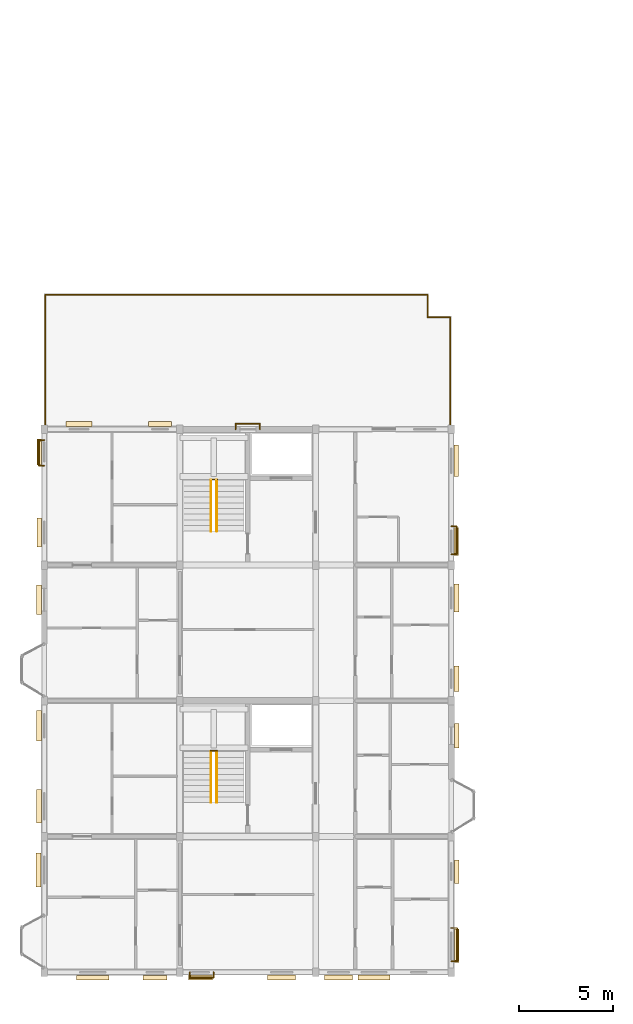
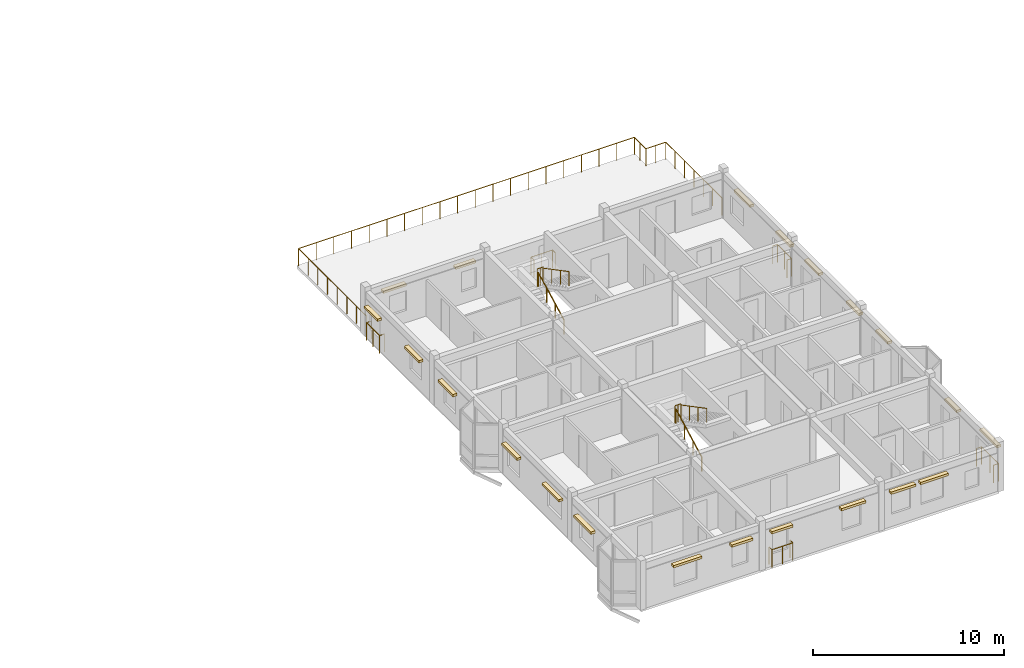
# One storey, part 21 of 22: 21 coverings, 12 railings.
"""IFC4 building model written with IfcOpenShell, lengths in metres."""

from ifc_helpers import new_model, si_unit, direction, frame, origin, origin_2d, place, context, subcontext, project, spatial, rectangle, circle, extrude, material, layer, layer_set, type_object, element, save


model = new_model("IFC4")

# Units and contexts
model_context = context("Model", 3, precision=1e-05, world=origin(), true_north=direction((0.0, 1.0)))
body_context = subcontext(model_context, "Body", "Model", "MODEL_VIEW")
ifc_project = project(units=[si_unit("LENGTHUNIT", "METRE"), si_unit("AREAUNIT", "SQUARE_METRE"), si_unit("VOLUMEUNIT", "CUBIC_METRE"), si_unit("PLANEANGLEUNIT", "RADIAN"), si_unit("MASSUNIT", "GRAM", prefix="KILO"), si_unit("THERMODYNAMICTEMPERATUREUNIT", "KELVIN"), si_unit("POWERUNIT", "WATT")], contexts=[model_context])

# Site, building, storey
site_placement = place(None, origin())
site = spatial("IfcSite", under=ifc_project, at=site_placement, CompositionType="ELEMENT")
building_placement = place(site_placement, origin())
building = spatial("IfcBuilding", under=site, at=building_placement, Name="Tavuni Mirador Residences", CompositionType="ELEMENT")
storey_placement = place(building_placement, frame((0.0, 0.0, 45.449951171875)))
storey = spatial("IfcBuildingStorey", under=building, at=storey_placement, Name="L14", CompositionType="ELEMENT", Elevation=45.449951171875)

# Coverings
ifc_material_1 = material(Name="Natural coral limestone", Category="masonry")
ifc_layer = layer(ifc_material_1, 0.054931640625, Name="Natural coral limestone", Category="masonry")
ifc_layer_set = layer_set([ifc_layer], Name="Natural coral limestone")
covering_type = type_object("IfcCoveringType", Name="CVT-CLAD-CORAL", PredefinedType="CLADDING", material=ifc_layer_set)
covering_1_placement = place(storey_placement, frame((6.1875, 6.9130859375, 2.1650390625), z_axis=(0.0, 0.0, 1.0), x_axis=(1.0, 0.0, 0.0)))
element("IfcCovering", 1, at=covering_1_placement, inside=storey, type_object=covering_type, Name="HOOD-0279", PredefinedType="CLADDING", context=body_context, shape_type="SweptSolid", body=[
    extrude(rectangle(XDim=1.719970703125, YDim=0.25, at=origin_2d()), origin(), (0.0, 0.0, 1.0), 0.14990234375),
])
for number, where, z_axis, x_axis, name in (
    (2, (9.472412109375, 6.9130859375, 2.2451171875), (0.0, 0.0, 1.0), (1.0, 0.0, 0.0), "HOOD-0280"),
    (3, (11.89501953125, 6.92041015625, 2.2451171875), (0.0, 0.0, 1.0), (1.0, 0.0, 0.0), "HOOD-0281"),
):
    element("IfcCovering", number, at=place(storey_placement, frame(where, z_axis=z_axis, x_axis=x_axis)), inside=storey, type_object=covering_type, Name=name, PredefinedType="CLADDING", context=body_context, shape_type="SweptSolid", body=[
        extrude(rectangle(XDim=1.280029296875, YDim=0.25, at=origin_2d()), origin(), (0.0, 0.0, 1.0), 0.14990234375),
    ])
for number, where, z_axis, x_axis, name in (
    (4, (16.199951171875, 6.92041015625, 2.2451171875), (0.0, 0.0, 1.0), (1.0, 0.0, 0.0), "HOOD-0282"),
    (5, (19.20751953125, 6.925537109375, 2.2451171875), (0.0, 0.0, 1.0), (1.0, 0.0, 0.0), "HOOD-0283"),
):
    element("IfcCovering", number, at=place(storey_placement, frame(where, z_axis=z_axis, x_axis=x_axis)), inside=storey, type_object=covering_type, Name=name, PredefinedType="CLADDING", context=body_context, shape_type="SweptSolid", body=[
        extrude(rectangle(XDim=1.489990234375, YDim=0.25, at=origin_2d()), origin(), (0.0, 0.0, 1.0), 0.14990234375),
    ])
covering_2_placement = place(storey_placement, frame((21.090087890625, 6.925537109375, 2.2451171875), z_axis=(0.0, 0.0, 1.0), x_axis=(1.0, 0.0, 0.0)))
element("IfcCovering", 6, at=covering_2_placement, inside=storey, type_object=covering_type, Name="HOOD-0284", PredefinedType="CLADDING", context=body_context, shape_type="SweptSolid", body=[
    extrude(rectangle(XDim=1.68994140625, YDim=0.25, at=origin_2d()), origin(), (0.0, 0.0, 1.0), 0.14990234375),
])
covering_3_placement = place(storey_placement, frame((25.487060546875, 8.60009765625, 2.2451171875), z_axis=(0.0, 0.0, 1.0), x_axis=(0.0, 1.0, 0.0)))
element("IfcCovering", 7, at=covering_3_placement, inside=storey, type_object=covering_type, Name="HOOD-0285", PredefinedType="CLADDING", context=body_context, shape_type="SweptSolid", body=[
    extrude(rectangle(XDim=1.7900390625, YDim=0.25, at=origin_2d()), origin(), (0.0, 0.0, 1.0), 0.14990234375),
])
covering_4_placement = place(storey_placement, frame((25.487060546875, 12.534912109375, 1.955078125), z_axis=(0.0, 0.0, 1.0), x_axis=(0.0, 1.0, 0.0)))
element("IfcCovering", 8, at=covering_4_placement, inside=storey, type_object=covering_type, Name="HOOD-0286", PredefinedType="CLADDING", context=body_context, shape_type="SweptSolid", body=[
    extrude(rectangle(XDim=1.260009765625, YDim=0.25, at=origin_2d()), origin(), (0.0, 0.0, 1.0), 0.14990234375),
])
covering_5_placement = place(storey_placement, frame((25.484619140625, 19.742431640625, 1.9501953125), z_axis=(0.0, 0.0, 1.0), x_axis=(0.0, 1.0, 0.0)))
element("IfcCovering", 9, at=covering_5_placement, inside=storey, type_object=covering_type, Name="HOOD-0287", PredefinedType="CLADDING", context=body_context, shape_type="SweptSolid", body=[
    extrude(rectangle(XDim=1.280029296875, YDim=0.260009765625, at=origin_2d()), origin(), (0.0, 0.0, 1.0), 0.159912109375),
])
covering_6_placement = place(storey_placement, frame((25.474609375, 22.77490234375, 1.955078125), z_axis=(0.0, 0.0, 1.0), x_axis=(0.0, 1.0, 0.0)))
element("IfcCovering", 10, at=covering_6_placement, inside=storey, type_object=covering_type, Name="HOOD-0288", PredefinedType="CLADDING", context=body_context, shape_type="SweptSolid", body=[
    extrude(rectangle(XDim=1.340087890625, YDim=0.25, at=origin_2d()), origin(), (0.0, 0.0, 1.0), 0.14990234375),
])
for number, where, z_axis, x_axis, name in (
    (11, (25.474609375, 27.054931640625, 1.955078125), (0.0, 0.0, 1.0), (0.0, 1.0, 0.0), "HOOD-0289"),
    (12, (25.467041015625, 30.054931640625, 1.955078125), (0.0, 0.0, 1.0), (0.0, 1.0, 0.0), "HOOD-0290"),
):
    element("IfcCovering", number, at=place(storey_placement, frame(where, z_axis=z_axis, x_axis=x_axis)), inside=storey, type_object=covering_type, Name=name, PredefinedType="CLADDING", context=body_context, shape_type="SweptSolid", body=[
        extrude(rectangle(XDim=1.5, YDim=0.25, at=origin_2d()), origin(), (0.0, 0.0, 1.0), 0.14990234375),
    ])
covering_7_placement = place(storey_placement, frame((25.467041015625, 34.3349609375, 1.955078125), z_axis=(0.0, 0.0, 1.0), x_axis=(0.0, 1.0, 0.0)))
element("IfcCovering", 13, at=covering_7_placement, inside=storey, type_object=covering_type, Name="HOOD-0291", PredefinedType="CLADDING", context=body_context, shape_type="SweptSolid", body=[
    extrude(rectangle(XDim=1.659912109375, YDim=0.25, at=origin_2d()), origin(), (0.0, 0.0, 1.0), 0.14990234375),
])
covering_8_placement = place(storey_placement, frame((9.735107421875, 36.287109375, 2.065185546875), z_axis=(0.0, 0.0, 1.0), x_axis=(-1.0, 0.0, 0.0)))
element("IfcCovering", 14, at=covering_8_placement, inside=storey, type_object=covering_type, Name="HOOD-0292", PredefinedType="CLADDING", context=body_context, shape_type="SweptSolid", body=[
    extrude(rectangle(XDim=1.219970703125, YDim=0.25, at=origin_2d()), origin(), (0.0, 0.0, 1.0), 0.14990234375),
])
for number, where, z_axis, x_axis, name in (
    (15, (5.455078125, 36.287109375, 2.065185546875), (0.0, 0.0, 1.0), (-1.0, 0.0, 0.0), "HOOD-0293"),
    (16, (3.3330078125, 34.804931640625, 2.065185546875), (0.0, 0.0, 1.0), (0.0, -1.0, 0.0), "HOOD-0294"),
):
    element("IfcCovering", number, at=place(storey_placement, frame(where, z_axis=z_axis, x_axis=x_axis)), inside=storey, type_object=covering_type, Name=name, PredefinedType="CLADDING", context=body_context, shape_type="SweptSolid", body=[
        extrude(rectangle(XDim=1.3798828125, YDim=0.25, at=origin_2d()), origin(), (0.0, 0.0, 1.0), 0.14990234375),
    ])
covering_9_placement = place(storey_placement, frame((3.3330078125, 30.52490234375, 2.065185546875), z_axis=(0.0, 0.0, 1.0), x_axis=(0.0, -1.0, 0.0)))
element("IfcCovering", 17, at=covering_9_placement, inside=storey, type_object=covering_type, Name="HOOD-0295", PredefinedType="CLADDING", context=body_context, shape_type="SweptSolid", body=[
    extrude(rectangle(XDim=1.5400390625, YDim=0.25, at=origin_2d()), origin(), (0.0, 0.0, 1.0), 0.14990234375),
])
covering_10_placement = place(storey_placement, frame((3.320556640625, 26.96240234375, 2.06005859375), z_axis=(0.0, 0.0, 1.0), x_axis=(0.0, -1.0, 0.0)))
element("IfcCovering", 18, at=covering_10_placement, inside=storey, type_object=covering_type, Name="HOOD-0296", PredefinedType="CLADDING", context=body_context, shape_type="SweptSolid", body=[
    extrude(rectangle(XDim=1.56005859375, YDim=0.260009765625, at=origin_2d()), origin(), (0.0, 0.0, 1.0), 0.159912109375),
])
covering_11_placement = place(storey_placement, frame((3.320556640625, 20.284912109375, 2.065185546875), z_axis=(0.0, 0.0, 1.0), x_axis=(0.0, -1.0, 0.0)))
element("IfcCovering", 19, at=covering_11_placement, inside=storey, type_object=covering_type, Name="HOOD-0297", PredefinedType="CLADDING", context=body_context, shape_type="SweptSolid", body=[
    extrude(rectangle(XDim=1.6201171875, YDim=0.25, at=origin_2d()), origin(), (0.0, 0.0, 1.0), 0.14990234375),
])
covering_12_placement = place(storey_placement, frame((3.320556640625, 16.0048828125, 2.065185546875), z_axis=(0.0, 0.0, 1.0), x_axis=(0.0, -1.0, 0.0)))
element("IfcCovering", 20, at=covering_12_placement, inside=storey, type_object=covering_type, Name="HOOD-0298", PredefinedType="CLADDING", context=body_context, shape_type="SweptSolid", body=[
    extrude(rectangle(XDim=1.780029296875, YDim=0.25, at=origin_2d()), origin(), (0.0, 0.0, 1.0), 0.14990234375),
])
covering_13_placement = place(storey_placement, frame((3.30810546875, 12.62255859375, 2.06005859375), z_axis=(0.0, 0.0, 1.0), x_axis=(0.0, -1.0, 0.0)))
element("IfcCovering", 21, at=covering_13_placement, inside=storey, type_object=covering_type, Name="HOOD-0299", PredefinedType="CLADDING", context=body_context, shape_type="SweptSolid", body=[
    extrude(rectangle(XDim=1.800048828125, YDim=0.260009765625, at=origin_2d()), origin(), (0.0, 0.0, 1.0), 0.159912109375),
])

# Railings
ifc_material_2 = material(Name="Structural steel S355", Category="steel")
railing_type_1 = type_object("IfcRailingType", Name="RT-BL1150", PredefinedType="BALUSTRADE", material=ifc_material_2)
railing_1_placement = place(storey_placement, frame((11.324951171875, 7.199951171875, 0.0400390625)))
element("IfcRailing", 22, at=railing_1_placement, inside=storey, type_object=railing_type_1, Name="BALC-BLK-A-L14-S01", PredefinedType="BALUSTRADE", context=body_context, shape_type="SweptSolid", body=[
    extrude(circle(Radius=0.02392578125, at=origin_2d()), frame((0.0, 0.0, 1.1259765625), z_axis=(0.0, -1.0, 0.0), x_axis=(1.0, 0.0, 0.0)), (0.0, 0.0, 1.0), 0.29736328125),
    extrude(circle(Radius=0.02392578125, at=origin_2d()), frame((0.0, -0.29736328125, 1.1259765625), z_axis=(1.0, 0.0, 0.0), x_axis=(0.0, 1.0, 0.0)), (0.0, 0.0, 1.0), 1.260009765625),
    extrude(circle(Radius=0.02392578125, at=origin_2d()), frame((1.260009765625, -0.29736328125, 1.1259765625), z_axis=(0.0, 1.0, 0.0), x_axis=(-1.0, 0.0, 0.0)), (0.0, 0.0, 1.0), 0.29736328125),
    extrude(circle(Radius=0.02099609375, at=origin_2d()), origin(), (0.0, 0.0, 1.0), 1.101806640625),
    extrude(circle(Radius=0.02099609375, at=origin_2d()), frame((0.0, -0.29736328125, 0.0)), (0.0, 0.0, 1.0), 1.101806640625),
    extrude(circle(Radius=0.02099609375, at=origin_2d()), frame((0.6298828125, -0.29736328125, 0.0)), (0.0, 0.0, 1.0), 1.101806640625),
    extrude(circle(Radius=0.02099609375, at=origin_2d()), frame((1.260009765625, -0.29736328125, 0.0)), (0.0, 0.0, 1.0), 1.101806640625),
    extrude(circle(Radius=0.02099609375, at=origin_2d()), frame((1.260009765625, 0.0, 0.0)), (0.0, 0.0, 1.0), 1.101806640625),
])
railing_2_placement = place(storey_placement, frame((25.199951171875, 7.77490234375, 0.0400390625)))
element("IfcRailing", 23, at=railing_2_placement, inside=storey, type_object=railing_type_1, Name="BALC-BLK-A-L14-E00", PredefinedType="BALUSTRADE", context=body_context, shape_type="SweptSolid", body=[
    extrude(circle(Radius=0.02392578125, at=origin_2d()), frame((0.0, 0.0, 1.1259765625), z_axis=(1.0, 0.0, 0.0), x_axis=(0.0, 1.0, 0.0)), (0.0, 0.0, 1.0), 0.304931640625),
    extrude(circle(Radius=0.02392578125, at=origin_2d()), frame((0.304931640625, 0.0, 1.1259765625), z_axis=(0.0, 1.0, 0.0), x_axis=(-1.0, 0.0, 0.0)), (0.0, 0.0, 1.0), 1.77001953125),
    extrude(circle(Radius=0.02392578125, at=origin_2d()), frame((0.304931640625, 1.77001953125, 1.1259765625), z_axis=(-1.0, 0.0, 0.0), x_axis=(0.0, -1.0, 0.0)), (0.0, 0.0, 1.0), 0.304931640625),
    extrude(circle(Radius=0.02099609375, at=origin_2d()), origin(), (0.0, 0.0, 1.0), 1.101806640625),
    extrude(circle(Radius=0.02099609375, at=origin_2d()), frame((0.304931640625, 0.0, 0.0)), (0.0, 0.0, 1.0), 1.101806640625),
    extrude(circle(Radius=0.02099609375, at=origin_2d()), frame((0.304931640625, 0.885009765625, 0.0)), (0.0, 0.0, 1.0), 1.101806640625),
    extrude(circle(Radius=0.02099609375, at=origin_2d()), frame((0.304931640625, 1.77001953125, 0.0)), (0.0, 0.0, 1.0), 1.101806640625),
    extrude(circle(Radius=0.02099609375, at=origin_2d()), frame((0.0, 1.77001953125, 0.0)), (0.0, 0.0, 1.0), 1.101806640625),
])
railing_3_placement = place(storey_placement, frame((25.199951171875, 29.375, 0.0400390625)))
element("IfcRailing", 24, at=railing_3_placement, inside=storey, type_object=railing_type_1, Name="BALC-BLK-A-L14-E03", PredefinedType="BALUSTRADE", context=body_context, shape_type="SweptSolid", body=[
    extrude(circle(Radius=0.02392578125, at=origin_2d()), frame((0.0, 0.0, 1.1259765625), z_axis=(1.0, 0.0, 0.0), x_axis=(0.0, 1.0, 0.0)), (0.0, 0.0, 1.0), 0.28515625),
    extrude(circle(Radius=0.02392578125, at=origin_2d()), frame((0.28515625, 0.0, 1.1259765625), z_axis=(0.0, 1.0, 0.0), x_axis=(-1.0, 0.0, 0.0)), (0.0, 0.0, 1.0), 1.47998046875),
    extrude(circle(Radius=0.02392578125, at=origin_2d()), frame((0.28515625, 1.47998046875, 1.1259765625), z_axis=(-1.0, 0.0, 0.0), x_axis=(0.0, -1.0, 0.0)), (0.0, 0.0, 1.0), 0.28515625),
    extrude(circle(Radius=0.02099609375, at=origin_2d()), origin(), (0.0, 0.0, 1.0), 1.101806640625),
    extrude(circle(Radius=0.02099609375, at=origin_2d()), frame((0.28515625, 0.0, 0.0)), (0.0, 0.0, 1.0), 1.101806640625),
    extrude(circle(Radius=0.02099609375, at=origin_2d()), frame((0.28515625, 0.739990234375, 0.0)), (0.0, 0.0, 1.0), 1.101806640625),
    extrude(circle(Radius=0.02099609375, at=origin_2d()), frame((0.28515625, 1.47998046875, 0.0)), (0.0, 0.0, 1.0), 1.101806640625),
    extrude(circle(Radius=0.02099609375, at=origin_2d()), frame((0.0, 1.47998046875, 0.0)), (0.0, 0.0, 1.0), 1.101806640625),
])
railing_4_placement = place(storey_placement, frame((15.044921875, 36.0, 0.0400390625)))
element("IfcRailing", 25, at=railing_4_placement, inside=storey, type_object=railing_type_1, Name="BALC-BLK-A-L14-N01", PredefinedType="BALUSTRADE", context=body_context, shape_type="SweptSolid", body=[
    extrude(circle(Radius=0.02392578125, at=origin_2d()), frame((0.0, 0.0, 1.1259765625), z_axis=(0.0, 1.0, 0.0), x_axis=(-1.0, 0.0, 0.0)), (0.0, 0.0, 1.0), 0.297607421875),
    extrude(circle(Radius=0.02392578125, at=origin_2d()), frame((0.0, 0.297607421875, 1.1259765625), z_axis=(-1.0, 0.0, 0.0), x_axis=(0.0, -1.0, 0.0)), (0.0, 0.0, 1.0), 1.2900390625),
    extrude(circle(Radius=0.02392578125, at=origin_2d()), frame((-1.2900390625, 0.297607421875, 1.1259765625), z_axis=(0.0, -1.0, 0.0), x_axis=(1.0, 0.0, 0.0)), (0.0, 0.0, 1.0), 0.297607421875),
    extrude(circle(Radius=0.02099609375, at=origin_2d()), origin(), (0.0, 0.0, 1.0), 1.101806640625),
    extrude(circle(Radius=0.02099609375, at=origin_2d()), frame((0.0, 0.297607421875, 0.0)), (0.0, 0.0, 1.0), 1.101806640625),
    extrude(circle(Radius=0.02099609375, at=origin_2d()), frame((-0.64501953125, 0.297607421875, 0.0)), (0.0, 0.0, 1.0), 1.101806640625),
    extrude(circle(Radius=0.02099609375, at=origin_2d()), frame((-1.2900390625, 0.297607421875, 0.0)), (0.0, 0.0, 1.0), 1.101806640625),
    extrude(circle(Radius=0.02099609375, at=origin_2d()), frame((-1.2900390625, 0.0, 0.0)), (0.0, 0.0, 1.0), 1.101806640625),
])
railing_5_placement = place(storey_placement, frame((3.60009765625, 35.425048828125, 0.0400390625)))
element("IfcRailing", 26, at=railing_5_placement, inside=storey, type_object=railing_type_1, Name="BALC-BLK-A-L14-W03", PredefinedType="BALUSTRADE", context=body_context, shape_type="SweptSolid", body=[
    extrude(circle(Radius=0.02392578125, at=origin_2d()), frame((0.0, 0.0, 1.1259765625), z_axis=(-1.0, 0.0, 0.0), x_axis=(0.0, -1.0, 0.0)), (0.0, 0.0, 1.0), 0.28515625),
    extrude(circle(Radius=0.02392578125, at=origin_2d()), frame((-0.28515625, 0.0, 1.1259765625), z_axis=(0.0, -1.0, 0.0), x_axis=(1.0, 0.0, 0.0)), (0.0, 0.0, 1.0), 1.360107421875),
    extrude(circle(Radius=0.02392578125, at=origin_2d()), frame((-0.28515625, -1.360107421875, 1.1259765625), z_axis=(1.0, 0.0, 0.0), x_axis=(0.0, 1.0, 0.0)), (0.0, 0.0, 1.0), 0.28515625),
    extrude(circle(Radius=0.02099609375, at=origin_2d()), origin(), (0.0, 0.0, 1.0), 1.101806640625),
    extrude(circle(Radius=0.02099609375, at=origin_2d()), frame((-0.28515625, 0.0, 0.0)), (0.0, 0.0, 1.0), 1.101806640625),
    extrude(circle(Radius=0.02099609375, at=origin_2d()), frame((-0.28515625, -0.68017578125, 0.0)), (0.0, 0.0, 1.0), 1.101806640625),
    extrude(circle(Radius=0.02099609375, at=origin_2d()), frame((-0.28515625, -1.360107421875, 0.0)), (0.0, 0.0, 1.0), 1.101806640625),
    extrude(circle(Radius=0.02099609375, at=origin_2d()), frame((0.0, -1.360107421875, 0.0)), (0.0, 0.0, 1.0), 1.101806640625),
])
railing_type_2 = type_object("IfcRailingType", Name="RT-GR1120", PredefinedType="GUARDRAIL", material=ifc_material_2)
railing_6_placement = place(storey_placement, frame((25.139892578125, 36.06005859375, 0.0)))
element("IfcRailing", 27, at=railing_6_placement, inside=storey, type_object=railing_type_2, Name="Terrace guard TER-A-L14", PredefinedType="GUARDRAIL", context=body_context, shape_type="SweptSolid", body=[
    extrude(circle(Radius=0.02392578125, at=origin_2d()), frame((0.0, 0.0, 1.09619140625), z_axis=(0.0, 1.0, 0.0), x_axis=(-1.0, 0.0, 0.0)), (0.0, 0.0, 1.0), 5.8798828125),
    extrude(circle(Radius=0.02392578125, at=origin_2d()), frame((0.0, 5.8798828125, 1.09619140625), z_axis=(-1.0, 0.0, 0.0), x_axis=(0.0, -1.0, 0.0)), (0.0, 0.0, 1.0), 1.199951171875),
    extrude(circle(Radius=0.02392578125, at=origin_2d()), frame((-1.199951171875, 5.8798828125, 1.09619140625), z_axis=(0.0, 1.0, 0.0), x_axis=(-1.0, 0.0, 0.0)), (0.0, 0.0, 1.0), 1.199951171875),
    extrude(circle(Radius=0.02392578125, at=origin_2d()), frame((-1.199951171875, 7.079833984375, 1.09619140625), z_axis=(-1.0, 0.0, 0.0), x_axis=(0.0, -1.0, 0.0)), (0.0, 0.0, 1.0), 20.280029296875),
    extrude(circle(Radius=0.02392578125, at=origin_2d()), frame((-21.47998046875, 7.079833984375, 1.09619140625), z_axis=(0.0, -1.0, 0.0), x_axis=(1.0, 0.0, 0.0)), (0.0, 0.0, 1.0), 7.079833984375),
    extrude(circle(Radius=0.02099609375, at=origin_2d()), origin(), (0.0, 0.0, 1.0), 1.072021484375),
    extrude(circle(Radius=0.02099609375, at=origin_2d()), frame((0.0, 0.97998046875, 0.0)), (0.0, 0.0, 1.0), 1.072021484375),
    extrude(circle(Radius=0.02099609375, at=origin_2d()), frame((0.0, 1.9599609375, 0.0)), (0.0, 0.0, 1.0), 1.072021484375),
    extrude(circle(Radius=0.02099609375, at=origin_2d()), frame((0.0, 2.93994140625, 0.0)), (0.0, 0.0, 1.0), 1.072021484375),
    extrude(circle(Radius=0.02099609375, at=origin_2d()), frame((0.0, 3.919921875, 0.0)), (0.0, 0.0, 1.0), 1.072021484375),
    extrude(circle(Radius=0.02099609375, at=origin_2d()), frame((0.0, 4.89990234375, 0.0)), (0.0, 0.0, 1.0), 1.072021484375),
    extrude(circle(Radius=0.02099609375, at=origin_2d()), frame((0.0, 5.8798828125, 0.0)), (0.0, 0.0, 1.0), 1.072021484375),
    extrude(circle(Radius=0.02099609375, at=origin_2d()), frame((-0.60009765625, 5.8798828125, 0.0)), (0.0, 0.0, 1.0), 1.072021484375),
    extrude(circle(Radius=0.02099609375, at=origin_2d()), frame((-1.199951171875, 5.8798828125, 0.0)), (0.0, 0.0, 1.0), 1.072021484375),
    extrude(circle(Radius=0.02099609375, at=origin_2d()), frame((-1.199951171875, 6.47998046875, 0.0)), (0.0, 0.0, 1.0), 1.072021484375),
    extrude(circle(Radius=0.02099609375, at=origin_2d()), frame((-1.199951171875, 7.079833984375, 0.0)), (0.0, 0.0, 1.0), 1.072021484375),
    extrude(circle(Radius=0.02099609375, at=origin_2d()), frame((-2.267333984375, 7.079833984375, 0.0)), (0.0, 0.0, 1.0), 1.072021484375),
    extrude(circle(Radius=0.02099609375, at=origin_2d()), frame((-3.334716796875, 7.079833984375, 0.0)), (0.0, 0.0, 1.0), 1.072021484375),
    extrude(circle(Radius=0.02099609375, at=origin_2d()), frame((-4.402099609375, 7.079833984375, 0.0)), (0.0, 0.0, 1.0), 1.072021484375),
    extrude(circle(Radius=0.02099609375, at=origin_2d()), frame((-5.469482421875, 7.079833984375, 0.0)), (0.0, 0.0, 1.0), 1.072021484375),
    extrude(circle(Radius=0.02099609375, at=origin_2d()), frame((-6.536865234375, 7.079833984375, 0.0)), (0.0, 0.0, 1.0), 1.072021484375),
    extrude(circle(Radius=0.02099609375, at=origin_2d()), frame((-7.604248046875, 7.079833984375, 0.0)), (0.0, 0.0, 1.0), 1.072021484375),
    extrude(circle(Radius=0.02099609375, at=origin_2d()), frame((-8.671630859375, 7.079833984375, 0.0)), (0.0, 0.0, 1.0), 1.072021484375),
    extrude(circle(Radius=0.02099609375, at=origin_2d()), frame((-9.739013671875, 7.079833984375, 0.0)), (0.0, 0.0, 1.0), 1.072021484375),
    extrude(circle(Radius=0.02099609375, at=origin_2d()), frame((-10.806396484375, 7.079833984375, 0.0)), (0.0, 0.0, 1.0), 1.072021484375),
    extrude(circle(Radius=0.02099609375, at=origin_2d()), frame((-11.87353515625, 7.079833984375, 0.0)), (0.0, 0.0, 1.0), 1.072021484375),
    extrude(circle(Radius=0.02099609375, at=origin_2d()), frame((-12.94091796875, 7.079833984375, 0.0)), (0.0, 0.0, 1.0), 1.072021484375),
    extrude(circle(Radius=0.02099609375, at=origin_2d()), frame((-14.00830078125, 7.079833984375, 0.0)), (0.0, 0.0, 1.0), 1.072021484375),
    extrude(circle(Radius=0.02099609375, at=origin_2d()), frame((-15.07568359375, 7.079833984375, 0.0)), (0.0, 0.0, 1.0), 1.072021484375),
    extrude(circle(Radius=0.02099609375, at=origin_2d()), frame((-16.14306640625, 7.079833984375, 0.0)), (0.0, 0.0, 1.0), 1.072021484375),
    extrude(circle(Radius=0.02099609375, at=origin_2d()), frame((-17.21044921875, 7.079833984375, 0.0)), (0.0, 0.0, 1.0), 1.072021484375),
    extrude(circle(Radius=0.02099609375, at=origin_2d()), frame((-18.27783203125, 7.079833984375, 0.0)), (0.0, 0.0, 1.0), 1.072021484375),
    extrude(circle(Radius=0.02099609375, at=origin_2d()), frame((-19.34521484375, 7.079833984375, 0.0)), (0.0, 0.0, 1.0), 1.072021484375),
    extrude(circle(Radius=0.02099609375, at=origin_2d()), frame((-20.41259765625, 7.079833984375, 0.0)), (0.0, 0.0, 1.0), 1.072021484375),
    extrude(circle(Radius=0.02099609375, at=origin_2d()), frame((-21.47998046875, 7.079833984375, 0.0)), (0.0, 0.0, 1.0), 1.072021484375),
    extrude(circle(Radius=0.02099609375, at=origin_2d()), frame((-21.47998046875, 6.068359375, 0.0)), (0.0, 0.0, 1.0), 1.072021484375),
    extrude(circle(Radius=0.02099609375, at=origin_2d()), frame((-21.47998046875, 5.05712890625, 0.0)), (0.0, 0.0, 1.0), 1.072021484375),
    extrude(circle(Radius=0.02099609375, at=origin_2d()), frame((-21.47998046875, 4.045654296875, 0.0)), (0.0, 0.0, 1.0), 1.072021484375),
    extrude(circle(Radius=0.02099609375, at=origin_2d()), frame((-21.47998046875, 3.0341796875, 0.0)), (0.0, 0.0, 1.0), 1.072021484375),
    extrude(circle(Radius=0.02099609375, at=origin_2d()), frame((-21.47998046875, 2.022705078125, 0.0)), (0.0, 0.0, 1.0), 1.072021484375),
    extrude(circle(Radius=0.02099609375, at=origin_2d()), frame((-21.47998046875, 1.011474609375, 0.0)), (0.0, 0.0, 1.0), 1.072021484375),
    extrude(circle(Radius=0.02099609375, at=origin_2d()), frame((-21.47998046875, 0.0, 0.0)), (0.0, 0.0, 1.0), 1.072021484375),
])
for number, where, name in (
    (28, (12.419921875, 18.93994140625, 1.574951171875), "GRD-HL-ST1-L14"),
    (29, (12.419921875, 33.340087890625, 1.574951171875), "GRD-HL-ST2-L14"),
):
    element("IfcRailing", number, at=place(storey_placement, frame(where)), inside=storey, type_object=railing_type_2, Name=name, PredefinedType="GUARDRAIL", context=body_context, shape_type="SweptSolid", body=[
        extrude(circle(Radius=0.02392578125, at=origin_2d()), frame((0.0, 0.0, 1.09619140625), z_axis=(1.0, 0.0, 0.0), x_axis=(0.0, 1.0, 0.0)), (0.0, 0.0, 1.0), 0.360107421875),
        extrude(circle(Radius=0.02099609375, at=origin_2d()), origin(), (0.0, 0.0, 1.0), 1.072021484375),
        extrude(circle(Radius=0.02099609375, at=origin_2d()), frame((0.18017578125, 0.0, 0.0)), (0.0, 0.0, 1.0), 1.072021484375),
        extrude(circle(Radius=0.02099609375, at=origin_2d()), frame((0.360107421875, 0.0, 0.0)), (0.0, 0.0, 1.0), 1.072021484375),
    ])
railing_type_3 = type_object("IfcRailingType", Name="RT-HR920", PredefinedType="HANDRAIL", material=ifc_material_2)
railing_7_placement = place(storey_placement, frame((12.449951171875, 16.199951171875, 0.157470703125)))
element("IfcRailing", 30, at=railing_7_placement, inside=storey, type_object=railing_type_3, Name="HR-ST1-L14-F1", PredefinedType="HANDRAIL", context=body_context, shape_type="SweptSolid", body=[
    extrude(circle(Radius=0.02392578125, at=origin_2d()), frame((0.0, 0.0, 0.89599609375), z_axis=(0.0, 0.885397079081, 0.464835468048), x_axis=(-1.0, 0.0, 0.0)), (0.0, 0.0, 1.0), 3.04931640625),
    extrude(circle(Radius=0.02099609375, at=origin_2d()), origin(), (0.0, 0.0, 1.0), 0.871826171875),
    extrude(circle(Radius=0.02099609375, at=origin_2d()), frame((0.0, 0.89990234375, 0.472412109375)), (0.0, 0.0, 1.0), 0.871826171875),
    extrude(circle(Radius=0.02099609375, at=origin_2d()), frame((0.0, 1.800048828125, 0.945068359375)), (0.0, 0.0, 1.0), 0.871826171875),
    extrude(circle(Radius=0.02099609375, at=origin_2d()), frame((0.0, 2.699951171875, 1.41748046875)), (0.0, 0.0, 1.0), 0.871826171875),
])
railing_8_placement = place(storey_placement, frame((12.75, 18.89990234375, 1.732666015625)))
element("IfcRailing", 31, at=railing_8_placement, inside=storey, type_object=railing_type_3, Name="HR-ST1-L14-F2", PredefinedType="HANDRAIL", context=body_context, shape_type="SweptSolid", body=[
    extrude(circle(Radius=0.02392578125, at=origin_2d()), frame((0.0, 0.0, 0.89599609375), z_axis=(0.0, -0.885397079081, 0.464835468048), x_axis=(1.0, 0.0, 0.0)), (0.0, 0.0, 1.0), 3.04931640625),
    extrude(circle(Radius=0.02099609375, at=origin_2d()), origin(), (0.0, 0.0, 1.0), 0.871826171875),
    extrude(circle(Radius=0.02099609375, at=origin_2d()), frame((0.0, -0.89990234375, 0.472412109375)), (0.0, 0.0, 1.0), 0.871826171875),
    extrude(circle(Radius=0.02099609375, at=origin_2d()), frame((0.0, -1.800048828125, 0.945068359375)), (0.0, 0.0, 1.0), 0.871826171875),
    extrude(circle(Radius=0.02099609375, at=origin_2d()), frame((0.0, -2.699951171875, 1.41748046875)), (0.0, 0.0, 1.0), 0.871826171875),
])
railing_9_placement = place(storey_placement, frame((12.449951171875, 30.60009765625, 0.157470703125)))
element("IfcRailing", 32, at=railing_9_placement, inside=storey, type_object=railing_type_3, Name="HR-ST2-L14-F1", PredefinedType="HANDRAIL", context=body_context, shape_type="SweptSolid", body=[
    extrude(circle(Radius=0.02392578125, at=origin_2d()), frame((0.0, 0.0, 0.89599609375), z_axis=(0.0, 0.885397079081, 0.464835468048), x_axis=(-1.0, 0.0, 0.0)), (0.0, 0.0, 1.0), 3.04931640625),
    extrude(circle(Radius=0.02099609375, at=origin_2d()), origin(), (0.0, 0.0, 1.0), 0.871826171875),
    extrude(circle(Radius=0.02099609375, at=origin_2d()), frame((0.0, 0.89990234375, 0.472412109375)), (0.0, 0.0, 1.0), 0.871826171875),
    extrude(circle(Radius=0.02099609375, at=origin_2d()), frame((0.0, 1.800048828125, 0.945068359375)), (0.0, 0.0, 1.0), 0.871826171875),
    extrude(circle(Radius=0.02099609375, at=origin_2d()), frame((0.0, 2.699951171875, 1.41748046875)), (0.0, 0.0, 1.0), 0.871826171875),
])
railing_10_placement = place(storey_placement, frame((12.75, 33.300048828125, 1.732666015625)))
element("IfcRailing", 33, at=railing_10_placement, inside=storey, type_object=railing_type_3, Name="HR-ST2-L14-F2", PredefinedType="HANDRAIL", context=body_context, shape_type="SweptSolid", body=[
    extrude(circle(Radius=0.02392578125, at=origin_2d()), frame((0.0, 0.0, 0.89599609375), z_axis=(0.0, -0.885397079081, 0.464835468048), x_axis=(1.0, 0.0, 0.0)), (0.0, 0.0, 1.0), 3.04931640625),
    extrude(circle(Radius=0.02099609375, at=origin_2d()), origin(), (0.0, 0.0, 1.0), 0.871826171875),
    extrude(circle(Radius=0.02099609375, at=origin_2d()), frame((0.0, -0.89990234375, 0.472412109375)), (0.0, 0.0, 1.0), 0.871826171875),
    extrude(circle(Radius=0.02099609375, at=origin_2d()), frame((0.0, -1.800048828125, 0.945068359375)), (0.0, 0.0, 1.0), 0.871826171875),
    extrude(circle(Radius=0.02099609375, at=origin_2d()), frame((0.0, -2.699951171875, 1.41748046875)), (0.0, 0.0, 1.0), 0.871826171875),
])

save(model, "model.ifc")
